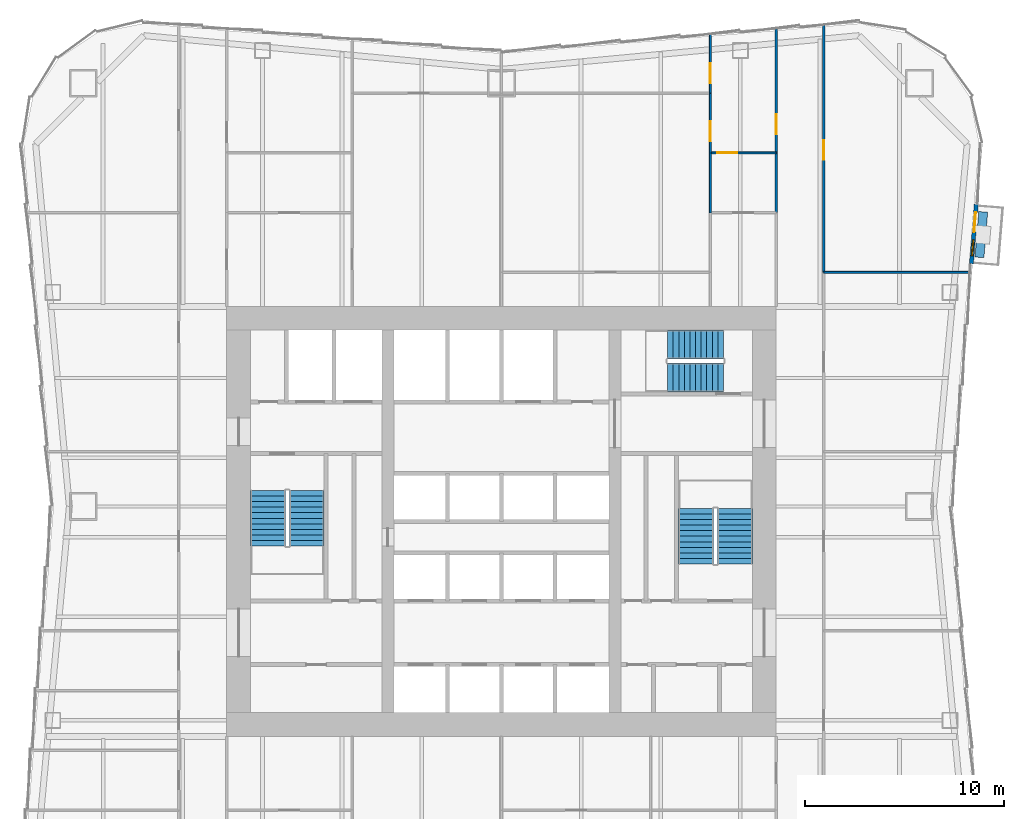
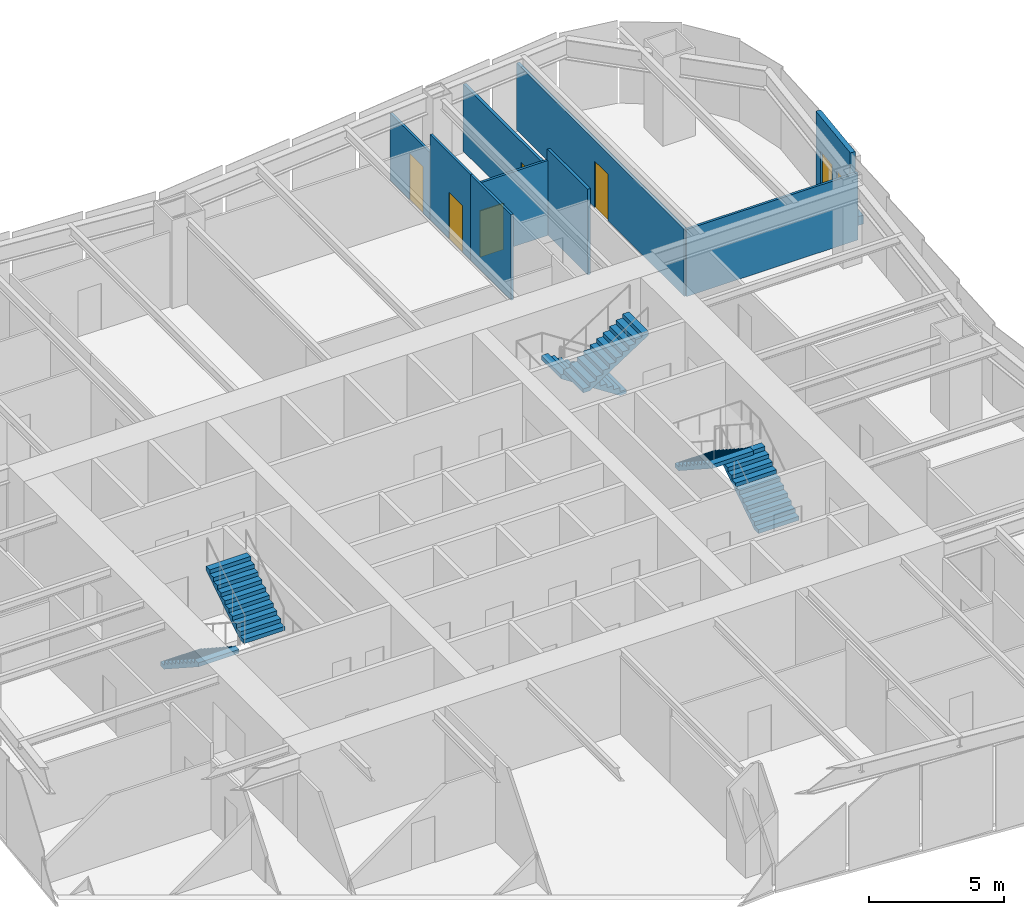
# One storey, part 7 of 9: 10 walls, 6 doors, 6 stair flights, 1 window, 7 openings, 3 elements without a shape of their own.
"""IFC4 building model written with IfcOpenShell, lengths in metres."""

from ifc_helpers import new_model, si_unit, direction, frame, frame_2d, origin, place, context, subcontext, project, spatial, polyline, rectangle, outline, extrude, material, layer, layer_set, type_object, element, fill, aggregate, save


model = new_model("IFC4")

# Units and contexts
model_context = context("Model", 3, precision=1e-05, world=origin(), true_north=direction((0.0, 1.0)))
body_context = subcontext(model_context, "Body", "Model", "MODEL_VIEW")
ifc_project = project(units=[si_unit("LENGTHUNIT", "METRE"), si_unit("AREAUNIT", "SQUARE_METRE"), si_unit("VOLUMEUNIT", "CUBIC_METRE"), si_unit("PLANEANGLEUNIT", "RADIAN"), si_unit("MASSUNIT", "GRAM", prefix="KILO")], contexts=[model_context])

# Site, building, storey
site_placement = place(None, origin())
site = spatial("IfcSite", under=ifc_project, at=site_placement, CompositionType="ELEMENT")
building_placement = place(site_placement, origin())
building = spatial("IfcBuilding", under=site, at=building_placement, Name="Verdant Reach Tower", CompositionType="ELEMENT")
storey_placement = place(building_placement, frame((0.0, 0.0, 98.0)))
storey = spatial("IfcBuildingStorey", under=building, at=storey_placement, Name="L22", CompositionType="ELEMENT", Elevation=98.0)

# Wall, openings, door, window
ifc_material_1 = material(Name="Insulated bronze aluminium panel wall", Category="aluminium")
ifc_layer_1 = layer(ifc_material_1, 0.219970703125)
ifc_layer_set_1 = layer_set([ifc_layer_1], Name="EN-INFILL WALL")
wall_type_1 = type_object("IfcWallType", Name="EN-INFILL WALL", PredefinedType="SOLIDWALL", material=ifc_layer_set_1)
wall_1_placement = place(storey_placement, frame((23.605224609375, 40.939208984375, 0.0), z_axis=(0.0, 0.0, 1.0), x_axis=(0.081903334605, 0.996640278024, 0.0)))
wall_1 = element("IfcWall", 1, at=wall_1_placement, inside=storey, type_object=wall_type_1, Name="External infill wall, balcony bay 1, L22", PredefinedType="SOLIDWALL", context=body_context, shape_type="SweptSolid", body=[
    extrude(rectangle(XDim=2.98974609375, YDim=0.2060546875, at=frame_2d((1.494873046875, 0.0))), origin(), (0.0, 0.0, 1.0), 3.64990234375),
])
opening_1_placement = place(wall_1_placement, frame((1.59326171875, 0.0, 0.0)))
opening_1 = element("IfcOpeningElement", 2, at=opening_1_placement, cuts=wall_1, Name="Opening BD1", PredefinedType="OPENING", context=body_context, shape_type="SweptSolid", body=[
    extrude(rectangle(XDim=1.0, YDim=2.10009765625, at=frame_2d((0.5, 1.050048828125))), frame((0.0, 0.113037109375, 0.0), z_axis=(0.0, -1.0, 0.0), x_axis=(1.0, 0.0, 0.0)), (0.0, 0.0, 1.0), 0.22607421875),
])
opening_2_placement = place(wall_1_placement, frame((0.396484375, 0.0, 0.89990234375)))
opening_2 = element("IfcOpeningElement", 3, at=opening_2_placement, cuts=wall_1, Name="Opening BW1", PredefinedType="OPENING", context=body_context, shape_type="SweptSolid", body=[
    extrude(rectangle(XDim=0.800048828125, YDim=1.199951171875, at=frame_2d((0.39990234375, 0.60009765625))), frame((0.0, 0.113037109375, 0.0), z_axis=(0.0, -1.0, 0.0), x_axis=(1.0, 0.0, 0.0)), (0.0, 0.0, 1.0), 0.22607421875),
])
ifc_material_2 = material(Name="Aluminium framed glazed door", Category="aluminium")
door_type_1 = type_object("IfcDoorType", Name="EN-DOOR BALCONY", OperationType="NOTDEFINED", PredefinedType="DOOR", material=ifc_material_2)
door_1_placement = place(opening_1_placement, origin())
door_1 = element("IfcDoor", 4, at=door_1_placement, inside=storey, type_object=door_type_1, Name="Balcony door 1, L22", OperationType="SINGLE_SWING_RIGHT", OverallHeight=2.10009765625, OverallWidth=1.0, PredefinedType="DOOR", context=body_context, shape_type="SweptSolid", body=[
    extrude(rectangle(XDim=1.0, YDim=2.10009765625, at=frame_2d((0.5, 1.050048828125))), frame((0.0, 0.02490234375, 0.0), z_axis=(0.0, -1.0, 0.0), x_axis=(1.0, 0.0, 0.0)), (0.0, 0.0, 1.0), 0.050048828125),
])
fill(opening_1, door_1)
ifc_material_3 = material(Name="Aluminium framed glazing", Category="aluminium")
window_type = type_object("IfcWindowType", Name="EN-WINDOW BALCONY", PartitioningType="SINGLE_PANEL", PredefinedType="WINDOW", material=ifc_material_3)
window_placement = place(opening_2_placement, origin())
window = element("IfcWindow", 5, at=window_placement, inside=storey, type_object=window_type, Name="Balcony window 1, L22", OverallHeight=1.199951171875, OverallWidth=0.800048828125, PartitioningType="SINGLE_PANEL", PredefinedType="WINDOW", context=body_context, shape_type="SweptSolid", body=[
    extrude(rectangle(XDim=0.800048828125, YDim=1.199951171875, at=frame_2d((0.39990234375, 0.60009765625))), frame((0.0, 0.030029296875, 0.0), z_axis=(0.0, -1.0, 0.0), x_axis=(1.0, 0.0, 0.0)), (0.0, 0.0, 1.0), 0.06005859375),
])
fill(opening_2, window)

# Walls
ifc_material_4 = material(Name="Precast concrete C30/37", Category="concrete")
ifc_layer_2 = layer(ifc_material_4, 0.449951171875)
ifc_layer_set_2 = layer_set([ifc_layer_2], Name="EN-PLANTER")
wall_type_2 = type_object("IfcWallType", Name="EN-PLANTER", PredefinedType="USERDEFINED", material=ifc_layer_set_2)
wall_2_placement = place(storey_placement, frame((24.010498046875, 41.257080078125, 0.0), z_axis=(0.0, 0.0, 1.0), x_axis=(0.081986639556, 0.996633428566, 0.0)))
element("IfcWall", 6, at=wall_2_placement, inside=storey, type_object=wall_type_2, Name="Balcony planter 1, L22", ObjectType="PLANTER", PredefinedType="USERDEFINED", context=body_context, shape_type="SweptSolid", body=[
    extrude(rectangle(XDim=2.2900390625, YDim=0.449951171875, at=frame_2d((1.14501953125, 0.0))), origin(), (0.0, 0.0, 1.0), 0.39990234375),
])
ifc_material_5 = material(Name="Gypsum board on steel studs", Category="steel")
ifc_layer_3 = layer(ifc_material_5, 0.10009765625)
ifc_layer_set_3 = layer_set([ifc_layer_3], Name="FL-W1 Partition 100")
wall_type_3 = type_object("IfcWallType", Name="FL-W1 Partition 100", PredefinedType="PARTITIONING", material=ifc_layer_set_3)
wall_3_placement = place(storey_placement, frame((23.5458984375, 40.5, 0.0), z_axis=(0.0, 0.0, 1.0), x_axis=(-1.0, 0.0, 0.0)))
element("IfcWall", 7, at=wall_3_placement, inside=storey, type_object=wall_type_3, Name="Partition 22.34", PredefinedType="PARTITIONING", context=body_context, shape_type="SweptSolid", body=[
    extrude(rectangle(XDim=7.345947265625, YDim=0.10009765625, at=frame_2d((3.6728515625, 0.0))), origin(), (0.0, 0.0, 1.0), 3.0400390625),
])

# Wall, opening, door
wall_4_placement = place(storey_placement, frame((13.800048828125, 46.5, 0.0), z_axis=(0.0, 0.0, 1.0), x_axis=(-1.0, 0.0, 0.0)))
wall_4 = element("IfcWall", 8, at=wall_4_placement, inside=storey, type_object=wall_type_3, Name="Partition 22.61", PredefinedType="PARTITIONING", context=body_context, shape_type="SweptSolid", body=[
    extrude(rectangle(XDim=3.300048828125, YDim=0.10009765625, at=frame_2d((1.64990234375, 0.0))), origin(), (0.0, 0.0, 1.0), 3.389892578125),
])
opening_3_placement = place(wall_4_placement, frame((1.949951171875, 0.0, 0.0)))
opening_3 = element("IfcOpeningElement", 9, at=opening_3_placement, cuts=wall_4, Name="Opening D3", PredefinedType="OPENING", context=body_context, shape_type="SweptSolid", body=[
    extrude(rectangle(XDim=1.0, YDim=2.10009765625, at=frame_2d((0.5, 1.050048828125))), frame((0.0, 0.06005859375, 0.0), z_axis=(0.0, -1.0, 0.0), x_axis=(1.0, 0.0, 0.0)), (0.0, 0.0, 1.0), 0.1201171875),
])
ifc_material_6 = material(Name="Painted timber door leaf", Category="wood")
door_type_2 = type_object("IfcDoorType", Name="FL-D3 Door 1000x2100", OperationType="NOTDEFINED", PredefinedType="DOOR", material=ifc_material_6)
door_2_placement = place(opening_3_placement, origin())
door_2 = element("IfcDoor", 10, at=door_2_placement, inside=storey, type_object=door_type_2, Name="Door 22-029", OperationType="SINGLE_SWING_RIGHT", OverallHeight=2.10009765625, OverallWidth=1.0, PredefinedType="DOOR", context=body_context, shape_type="SweptSolid", body=[
    extrude(rectangle(XDim=1.0, YDim=2.10009765625, at=frame_2d((0.5, 1.050048828125))), frame((0.0, 0.02490234375, 0.0), z_axis=(0.0, -1.0, 0.0), x_axis=(1.0, 0.0, 0.0)), (0.0, 0.0, 1.0), 0.050048828125),
])
fill(opening_3, door_2)

# Wall
wall_5_placement = place(storey_placement, frame((10.5, 46.50390625, 0.0), z_axis=(0.0, 0.0, 1.0), x_axis=(0.0, -1.0, 0.0)))
element("IfcWall", 11, at=wall_5_placement, inside=storey, type_object=wall_type_3, Name="Partition 22.62", PredefinedType="PARTITIONING", context=body_context, shape_type="SweptSolid", body=[
    extrude(rectangle(XDim=3.0078125, YDim=0.10009765625, at=frame_2d((1.50390625, 0.0))), origin(), (0.0, 0.0, 1.0), 3.8701171875),
])

# Wall, opening, door
wall_6_placement = place(storey_placement, frame((10.5, 46.49609375, 0.0), z_axis=(0.0, 0.0, 1.0), x_axis=(0.0, 1.0, 0.0)))
wall_6 = element("IfcWall", 12, at=wall_6_placement, inside=storey, type_object=wall_type_3, Name="Partition 22.63", PredefinedType="PARTITIONING", context=body_context, shape_type="SweptSolid", body=[
    extrude(rectangle(XDim=3.00390625, YDim=0.10009765625, at=frame_2d((1.501953125, 0.0))), origin(), (0.0, 0.0, 1.0), 3.8701171875),
])
opening_4_placement = place(wall_6_placement, frame((0.60205078125, 0.0, 0.0)))
opening_4 = element("IfcOpeningElement", 13, at=opening_4_placement, cuts=wall_6, Name="Opening D3", PredefinedType="OPENING", context=body_context, shape_type="SweptSolid", body=[
    extrude(rectangle(XDim=1.0, YDim=2.10009765625, at=frame_2d((0.5, 1.050048828125))), frame((0.0, 0.06005859375, 0.0), z_axis=(0.0, -1.0, 0.0), x_axis=(1.0, 0.0, 0.0)), (0.0, 0.0, 1.0), 0.1201171875),
])
door_3_placement = place(opening_4_placement, origin())
door_3 = element("IfcDoor", 14, at=door_3_placement, inside=storey, type_object=door_type_2, Name="Door 22-030", OperationType="SINGLE_SWING_LEFT", OverallHeight=2.10009765625, OverallWidth=1.0, PredefinedType="DOOR", context=body_context, shape_type="SweptSolid", body=[
    extrude(rectangle(XDim=1.0, YDim=2.10009765625, at=frame_2d((0.5, 1.050048828125))), frame((0.0, 0.02490234375, 0.0), z_axis=(0.0, -1.0, 0.0), x_axis=(1.0, 0.0, 0.0)), (0.0, 0.0, 1.0), 0.050048828125),
])
fill(opening_4, door_3)

wall_7_placement = place(storey_placement, frame((10.5, 49.5, 0.0), z_axis=(0.0, 0.0, 1.0), x_axis=(0.0, 1.0, 0.0)))
wall_7 = element("IfcWall", 15, at=wall_7_placement, inside=storey, type_object=wall_type_3, Name="Partition 22.64", PredefinedType="PARTITIONING", context=body_context, shape_type="SweptSolid", body=[
    extrude(rectangle(XDim=2.955078125, YDim=0.10009765625, at=frame_2d((1.4775390625, 0.0))), origin(), (0.0, 0.0, 1.0), 3.0400390625),
])
opening_5_placement = place(wall_7_placement, frame((0.512451171875, 0.0, 0.0)))
opening_5 = element("IfcOpeningElement", 16, at=opening_5_placement, cuts=wall_7, Name="Opening D3", PredefinedType="OPENING", context=body_context, shape_type="SweptSolid", body=[
    extrude(rectangle(XDim=1.0, YDim=2.10009765625, at=frame_2d((0.5, 1.050048828125))), frame((0.0, 0.06005859375, 0.0), z_axis=(0.0, -1.0, 0.0), x_axis=(1.0, 0.0, 0.0)), (0.0, 0.0, 1.0), 0.1201171875),
])
door_4_placement = place(opening_5_placement, origin())
door_4 = element("IfcDoor", 17, at=door_4_placement, inside=storey, type_object=door_type_2, Name="Door 22-031", OperationType="SINGLE_SWING_LEFT", OverallHeight=2.10009765625, OverallWidth=1.0, PredefinedType="DOOR", context=body_context, shape_type="SweptSolid", body=[
    extrude(rectangle(XDim=1.0, YDim=2.10009765625, at=frame_2d((0.5, 1.050048828125))), frame((0.0, 0.02490234375, 0.0), z_axis=(0.0, -1.0, 0.0), x_axis=(1.0, 0.0, 0.0)), (0.0, 0.0, 1.0), 0.050048828125),
])
fill(opening_5, door_4)

ifc_material_7 = material(Name="Gypsum board on steel studs, fire rated", Category="steel")
ifc_layer_4 = layer(ifc_material_7, 0.125)
ifc_layer_set_4 = layer_set([ifc_layer_4], Name="FL-W2 Corridor wall 125")
wall_type_4 = type_object("IfcWallType", Name="FL-W2 Corridor wall 125", PredefinedType="PARTITIONING", material=ifc_layer_set_4)
wall_8_placement = place(storey_placement, frame((16.199951171875, 52.929931640625, 0.0), z_axis=(0.0, 0.0, 1.0), x_axis=(0.0, -1.0, 0.0)))
wall_8 = element("IfcWall", 18, at=wall_8_placement, inside=storey, type_object=wall_type_4, Name="Partition 22.18", PredefinedType="PARTITIONING", context=body_context, shape_type="SweptSolid", body=[
    extrude(rectangle(XDim=12.429931640625, YDim=0.125, at=frame_2d((6.21484375, 0.0))), origin(), (0.0, 0.0, 1.0), 3.0400390625),
])
opening_6_placement = place(wall_8_placement, frame((5.780029296875, 0.0, 0.0)))
opening_6 = element("IfcOpeningElement", 19, at=opening_6_placement, cuts=wall_8, Name="Opening D2", PredefinedType="OPENING", context=body_context, shape_type="SweptSolid", body=[
    extrude(rectangle(XDim=1.0, YDim=2.10009765625, at=frame_2d((0.5, 1.050048828125))), frame((0.0, 0.072509765625, 0.0), z_axis=(0.0, -1.0, 0.0), x_axis=(1.0, 0.0, 0.0)), (0.0, 0.0, 1.0), 0.14501953125),
])
ifc_material_8 = material(Name="Timber door leaf, fire rated", Category="wood")
door_type_3 = type_object("IfcDoorType", Name="FL-D2 Entrance door 1000x2100 FD30", OperationType="NOTDEFINED", PredefinedType="DOOR", material=ifc_material_8)
door_5_placement = place(opening_6_placement, origin())
door_5 = element("IfcDoor", 20, at=door_5_placement, inside=storey, type_object=door_type_3, Name="Door 22-015", OperationType="SINGLE_SWING_RIGHT", OverallHeight=2.10009765625, OverallWidth=1.0, PredefinedType="DOOR", context=body_context, shape_type="SweptSolid", body=[
    extrude(rectangle(XDim=1.0, YDim=2.10009765625, at=frame_2d((0.5, 1.050048828125))), frame((0.0, 0.02490234375, 0.0), z_axis=(0.0, -1.0, 0.0), x_axis=(1.0, 0.0, 0.0)), (0.0, 0.0, 1.0), 0.050048828125),
])
fill(opening_6, door_5)

# Wall
wall_9_placement = place(storey_placement, frame((13.800048828125, 46.5, 0.0), z_axis=(0.0, 0.0, 1.0), x_axis=(0.0, -1.0, 0.0)))
element("IfcWall", 21, at=wall_9_placement, inside=storey, type_object=wall_type_4, Name="Partition 22.23", PredefinedType="PARTITIONING", context=body_context, shape_type="SweptSolid", body=[
    extrude(rectangle(XDim=3.0, YDim=0.125, at=frame_2d((1.5, 0.0))), origin(), (0.0, 0.0, 1.0), 3.8701171875),
])

# Wall, opening, door
wall_10_placement = place(storey_placement, frame((13.800048828125, 46.5, 0.0), z_axis=(0.0, 0.0, 1.0), x_axis=(0.0, 1.0, 0.0)))
wall_10 = element("IfcWall", 22, at=wall_10_placement, inside=storey, type_object=wall_type_4, Name="Partition 22.24", PredefinedType="PARTITIONING", context=body_context, shape_type="SweptSolid", body=[
    extrude(rectangle(XDim=6.22998046875, YDim=0.125, at=frame_2d((3.114990234375, 0.0))), origin(), (0.0, 0.0, 1.0), 3.0400390625),
])
opening_7_placement = place(wall_10_placement, frame((0.949951171875, 0.0, 0.0)))
opening_7 = element("IfcOpeningElement", 23, at=opening_7_placement, cuts=wall_10, Name="Opening D2", PredefinedType="OPENING", context=body_context, shape_type="SweptSolid", body=[
    extrude(rectangle(XDim=1.0, YDim=2.10009765625, at=frame_2d((0.5, 1.050048828125))), frame((0.0, 0.072509765625, 0.0), z_axis=(0.0, -1.0, 0.0), x_axis=(1.0, 0.0, 0.0)), (0.0, 0.0, 1.0), 0.14501953125),
])
door_6_placement = place(opening_7_placement, origin())
door_6 = element("IfcDoor", 24, at=door_6_placement, inside=storey, type_object=door_type_3, Name="Door 22-018", OperationType="SINGLE_SWING_LEFT", OverallHeight=2.10009765625, OverallWidth=1.0, PredefinedType="DOOR", context=body_context, shape_type="SweptSolid", body=[
    extrude(rectangle(XDim=1.0, YDim=2.10009765625, at=frame_2d((0.5, 1.050048828125))), frame((0.0, 0.02490234375, 0.0), z_axis=(0.0, -1.0, 0.0), x_axis=(1.0, 0.0, 0.0)), (0.0, 0.0, 1.0), 0.050048828125),
])
fill(opening_7, door_6)

# Stair, stair flights
ifc_material_9 = material(Name="Concrete C40/50", Category="concrete")
stair_type = type_object("IfcStairType", Name="CO-STAIR", PredefinedType="HALF_TURN_STAIR", material=ifc_material_9)
stair_1_placement = place(storey_placement, origin())
stair_1 = element("IfcStair", 25, at=stair_1_placement, inside=storey, type_object=stair_type, Name="L22 Exit stair 1", PredefinedType="HALF_TURN_STAIR")
stair_flight_type = type_object("IfcStairFlightType", Name="CO-STAIR-FLIGHT", PredefinedType="STRAIGHT", material=ifc_material_9)
stair_flight_1_placement = place(storey_placement, frame((-11.72509765625, 29.550048828125, 0.0), z_axis=(0.0, 0.0, 1.0), x_axis=(0.0, -1.0, 0.0)))
stair_flight_1 = element("IfcStairFlight", 26, at=stair_flight_1_placement, type_object=stair_flight_type, Name="ST-1 flight 1", NumberOfRisers=11, NumberOfTreads=10, PredefinedType="STRAIGHT", RiserHeight=0.181818182, TreadLength=0.28, context=body_context, shape_type="SweptSolid", body=[
    extrude(outline(polyline([(0.0, 0.0), (0.0, 0.181884765625), (0.280029296875, 0.181884765625), (0.280029296875, 0.363525390625), (0.56005859375, 0.363525390625), (0.56005859375, 0.54541015625), (0.840087890625, 0.54541015625), (0.840087890625, 0.727294921875), (1.1201171875, 0.727294921875), (1.1201171875, 0.9091796875), (1.39990234375, 0.9091796875), (1.39990234375, 1.0908203125), (1.679931640625, 1.0908203125), (1.679931640625, 1.272705078125), (1.9599609375, 1.272705078125), (1.9599609375, 1.45458984375), (2.239990234375, 1.45458984375), (2.239990234375, 1.636474609375), (2.52001953125, 1.636474609375), (2.52001953125, 1.818115234375), (2.800048828125, 1.818115234375), (2.800048828125, 2.0), (2.800048828125, 1.639404296875), (0.275146484375, 0.0), (0.0, 0.0)])), frame((0.0, 0.875, 0.0), z_axis=(0.0, -1.0, 0.0), x_axis=(1.0, 0.0, 0.0)), (0.0, 0.0, 1.0), 1.75),
])
stair_flight_2_placement = place(storey_placement, frame((-9.77490234375, 26.75, 2.0), z_axis=(0.0, 0.0, 1.0), x_axis=(0.0, 1.0, 0.0)))
stair_flight_2 = element("IfcStairFlight", 27, at=stair_flight_2_placement, type_object=stair_flight_type, Name="ST-1 flight 2", NumberOfRisers=11, NumberOfTreads=10, PredefinedType="STRAIGHT", RiserHeight=0.181818182, TreadLength=0.28, context=body_context, shape_type="SweptSolid", body=[
    extrude(outline(polyline([(0.0, 0.0), (0.0, 0.181884765625), (0.280029296875, 0.181884765625), (0.280029296875, 0.363525390625), (0.56005859375, 0.363525390625), (0.56005859375, 0.54541015625), (0.840087890625, 0.54541015625), (0.840087890625, 0.727294921875), (1.1201171875, 0.727294921875), (1.1201171875, 0.9091796875), (1.39990234375, 0.9091796875), (1.39990234375, 1.0908203125), (1.679931640625, 1.0908203125), (1.679931640625, 1.272705078125), (1.9599609375, 1.272705078125), (1.9599609375, 1.45458984375), (2.239990234375, 1.45458984375), (2.239990234375, 1.636474609375), (2.52001953125, 1.636474609375), (2.52001953125, 1.818115234375), (2.800048828125, 1.818115234375), (2.800048828125, 2.0), (2.800048828125, 1.639404296875), (0.275146484375, 0.0), (0.0, 0.0)])), frame((0.0, 0.875, 0.0), z_axis=(0.0, -1.0, 0.0), x_axis=(1.0, 0.0, 0.0)), (0.0, 0.0, 1.0), 1.75),
])
aggregate(stair_1, [stair_flight_1, stair_flight_2])

stair_2_placement = place(storey_placement, origin())
stair_2 = element("IfcStair", 28, at=stair_2_placement, inside=storey, type_object=stair_type, Name="L22 Exit stair 2", PredefinedType="HALF_TURN_STAIR")
stair_flight_3_placement = place(storey_placement, frame((11.72509765625, 25.85009765625, 0.0), z_axis=(0.0, 0.0, 1.0), x_axis=(0.0, 1.0, 0.0)))
stair_flight_3 = element("IfcStairFlight", 29, at=stair_flight_3_placement, type_object=stair_flight_type, Name="ST-2 flight 1", NumberOfRisers=11, NumberOfTreads=10, PredefinedType="STRAIGHT", RiserHeight=0.181818182, TreadLength=0.28, context=body_context, shape_type="SweptSolid", body=[
    extrude(outline(polyline([(0.0, 0.0), (0.0, 0.181884765625), (0.280029296875, 0.181884765625), (0.280029296875, 0.363525390625), (0.56005859375, 0.363525390625), (0.56005859375, 0.54541015625), (0.840087890625, 0.54541015625), (0.840087890625, 0.727294921875), (1.1201171875, 0.727294921875), (1.1201171875, 0.9091796875), (1.39990234375, 0.9091796875), (1.39990234375, 1.0908203125), (1.679931640625, 1.0908203125), (1.679931640625, 1.272705078125), (1.9599609375, 1.272705078125), (1.9599609375, 1.45458984375), (2.239990234375, 1.45458984375), (2.239990234375, 1.636474609375), (2.52001953125, 1.636474609375), (2.52001953125, 1.818115234375), (2.800048828125, 1.818115234375), (2.800048828125, 2.0), (2.800048828125, 1.639404296875), (0.275146484375, 0.0), (0.0, 0.0)])), frame((0.0, 0.875, 0.0), z_axis=(0.0, -1.0, 0.0), x_axis=(1.0, 0.0, 0.0)), (0.0, 0.0, 1.0), 1.75),
])
stair_flight_4_placement = place(storey_placement, frame((9.77490234375, 28.64990234375, 2.0), z_axis=(0.0, 0.0, 1.0), x_axis=(0.0, -1.0, 0.0)))
stair_flight_4 = element("IfcStairFlight", 30, at=stair_flight_4_placement, type_object=stair_flight_type, Name="ST-2 flight 2", NumberOfRisers=11, NumberOfTreads=10, PredefinedType="STRAIGHT", RiserHeight=0.181818182, TreadLength=0.28, context=body_context, shape_type="SweptSolid", body=[
    extrude(outline(polyline([(0.0, 0.0), (0.0, 0.181884765625), (0.280029296875, 0.181884765625), (0.280029296875, 0.363525390625), (0.56005859375, 0.363525390625), (0.56005859375, 0.54541015625), (0.840087890625, 0.54541015625), (0.840087890625, 0.727294921875), (1.1201171875, 0.727294921875), (1.1201171875, 0.9091796875), (1.39990234375, 0.9091796875), (1.39990234375, 1.0908203125), (1.679931640625, 1.0908203125), (1.679931640625, 1.272705078125), (1.9599609375, 1.272705078125), (1.9599609375, 1.45458984375), (2.239990234375, 1.45458984375), (2.239990234375, 1.636474609375), (2.52001953125, 1.636474609375), (2.52001953125, 1.818115234375), (2.800048828125, 1.818115234375), (2.800048828125, 2.0), (2.800048828125, 1.639404296875), (0.275146484375, 0.0), (0.0, 0.0)])), frame((0.0, 0.875, 0.0), z_axis=(0.0, -1.0, 0.0), x_axis=(1.0, 0.0, 0.0)), (0.0, 0.0, 1.0), 1.75),
])
aggregate(stair_2, [stair_flight_3, stair_flight_4])

stair_3_placement = place(storey_placement, origin())
stair_3 = element("IfcStair", 31, at=stair_3_placement, inside=storey, type_object=stair_type, Name="L22 Exit stair 3", PredefinedType="HALF_TURN_STAIR")
stair_flight_5_placement = place(storey_placement, frame((11.14990234375, 36.875, 0.0), z_axis=(0.0, 0.0, 1.0), x_axis=(-1.0, 0.0, 0.0)))
stair_flight_5 = element("IfcStairFlight", 32, at=stair_flight_5_placement, type_object=stair_flight_type, Name="ST-3 flight 1", NumberOfRisers=11, NumberOfTreads=10, PredefinedType="STRAIGHT", RiserHeight=0.181818182, TreadLength=0.28, context=body_context, shape_type="SweptSolid", body=[
    extrude(outline(polyline([(0.0, 0.0), (0.0, 0.181884765625), (0.280029296875, 0.181884765625), (0.280029296875, 0.363525390625), (0.56005859375, 0.363525390625), (0.56005859375, 0.54541015625), (0.840087890625, 0.54541015625), (0.840087890625, 0.727294921875), (1.1201171875, 0.727294921875), (1.1201171875, 0.9091796875), (1.39990234375, 0.9091796875), (1.39990234375, 1.0908203125), (1.679931640625, 1.0908203125), (1.679931640625, 1.272705078125), (1.9599609375, 1.272705078125), (1.9599609375, 1.45458984375), (2.239990234375, 1.45458984375), (2.239990234375, 1.636474609375), (2.52001953125, 1.636474609375), (2.52001953125, 1.818115234375), (2.800048828125, 1.818115234375), (2.800048828125, 2.0), (2.800048828125, 1.639404296875), (0.275146484375, 0.0), (0.0, 0.0)])), frame((0.0, 0.72509765625, 0.0), z_axis=(0.0, -1.0, 0.0), x_axis=(1.0, 0.0, 0.0)), (0.0, 0.0, 1.0), 1.449951171875),
])
stair_flight_6_placement = place(storey_placement, frame((8.35009765625, 35.22509765625, 2.0), z_axis=(0.0, 0.0, 1.0), x_axis=(1.0, 0.0, 0.0)))
stair_flight_6 = element("IfcStairFlight", 33, at=stair_flight_6_placement, type_object=stair_flight_type, Name="ST-3 flight 2", NumberOfRisers=11, NumberOfTreads=10, PredefinedType="STRAIGHT", RiserHeight=0.181818182, TreadLength=0.28, context=body_context, shape_type="SweptSolid", body=[
    extrude(outline(polyline([(0.0, 0.0), (0.0, 0.181884765625), (0.280029296875, 0.181884765625), (0.280029296875, 0.363525390625), (0.56005859375, 0.363525390625), (0.56005859375, 0.54541015625), (0.840087890625, 0.54541015625), (0.840087890625, 0.727294921875), (1.1201171875, 0.727294921875), (1.1201171875, 0.9091796875), (1.39990234375, 0.9091796875), (1.39990234375, 1.0908203125), (1.679931640625, 1.0908203125), (1.679931640625, 1.272705078125), (1.9599609375, 1.272705078125), (1.9599609375, 1.45458984375), (2.239990234375, 1.45458984375), (2.239990234375, 1.636474609375), (2.52001953125, 1.636474609375), (2.52001953125, 1.818115234375), (2.800048828125, 1.818115234375), (2.800048828125, 2.0), (2.800048828125, 1.639404296875), (0.275146484375, 0.0), (0.0, 0.0)])), frame((0.0, 0.72509765625, 0.0), z_axis=(0.0, -1.0, 0.0), x_axis=(1.0, 0.0, 0.0)), (0.0, 0.0, 1.0), 1.449951171875),
])
aggregate(stair_3, [stair_flight_5, stair_flight_6])

save(model, "model.ifc")
